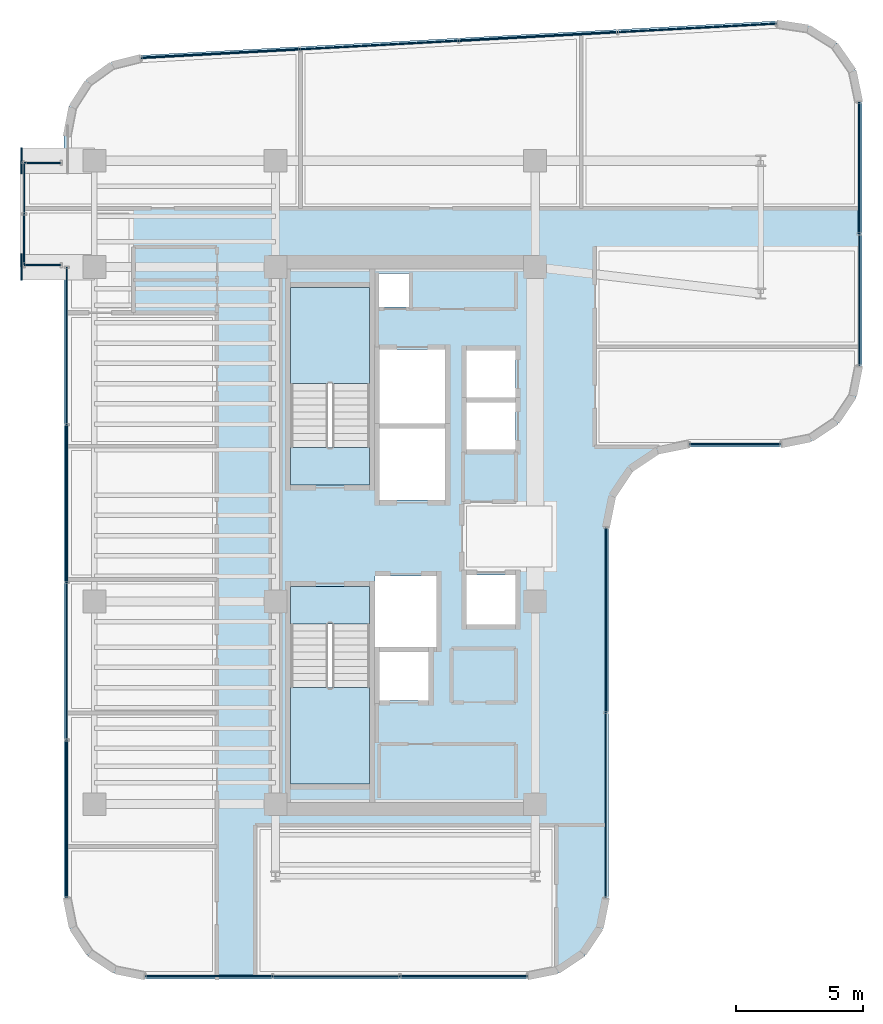
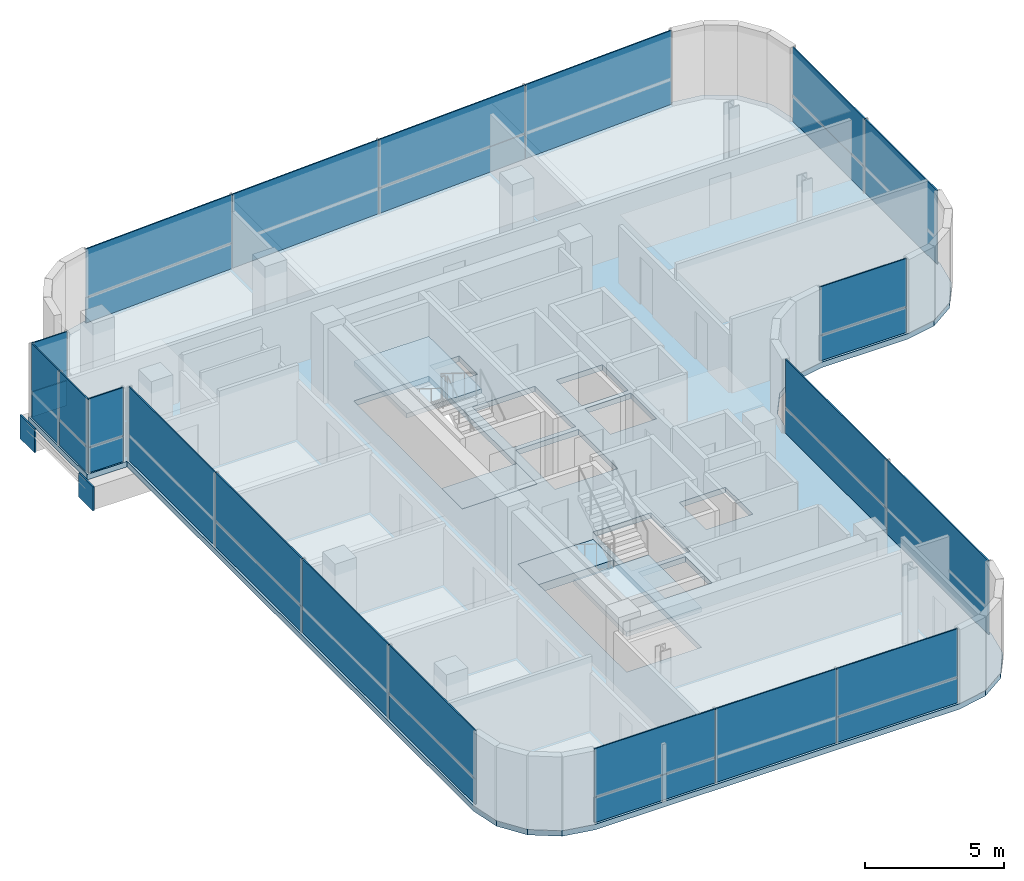
# One storey, part 16 of 21: 34 plates, 5 slabs, 11 elements without a shape of their own.
"""IFC4 building model written with IfcOpenShell, lengths in metres."""

from ifc_helpers import new_model, si_unit, direction, frame, origin, origin_2d, place, context, subcontext, project, spatial, polyline, rectangle, outline, extrude, source, transform, mapped, material, layer, layer_set, type_object, element, aggregate, save


model = new_model("IFC4")

# Units and contexts
model_context = context("Model", 3, precision=1e-05, world=origin(), true_north=direction((0.0, 1.0)))
body_context = subcontext(model_context, "Body", "Model", "MODEL_VIEW")
ifc_project = project(units=[si_unit("LENGTHUNIT", "METRE"), si_unit("AREAUNIT", "SQUARE_METRE"), si_unit("VOLUMEUNIT", "CUBIC_METRE"), si_unit("PLANEANGLEUNIT", "RADIAN"), si_unit("MASSUNIT", "GRAM", prefix="KILO")], contexts=[model_context])

# Site, building, storey
site_placement = place(None, origin())
site = spatial("IfcSite", under=ifc_project, at=site_placement, CompositionType="ELEMENT")
building_placement = place(site_placement, origin())
building = spatial("IfcBuilding", under=site, at=building_placement, Name="Valdorenza Pilgrim Sanctuary Tower", CompositionType="ELEMENT")
storey_placement = place(building_placement, frame((0.0, 0.0, 219.5)))
storey = spatial("IfcBuildingStorey", under=building, at=storey_placement, Name="L56", CompositionType="ELEMENT", Elevation=219.5)

# Slab
ifc_material_1 = material(Name="Concrete C40/50", Category="concrete")
ifc_layer_1 = layer(ifc_material_1, 0.239990234375, Name="Concrete C40/50")
ifc_layer_set_1 = layer_set([ifc_layer_1], Name="Concrete C40/50")
slab_type_1 = type_object("IfcSlabType", Name="SLAB-FLR-220", PredefinedType="FLOOR", material=ifc_layer_set_1)
slab_1_placement = place(storey_placement, frame((0.0, 0.0, -0.239990234375)))
element("IfcSlab", 1, at=slab_1_placement, inside=storey, type_object=slab_type_1, Name="L56 Structural Floor Slab 1", PredefinedType="FLOOR", context=body_context, shape_type="SweptSolid", body=[
    extrude(outline(polyline([(-30.772705078125, 16.95263671875), (-30.122802734375, 17.968994140625), (-29.14306640625, 18.672607421875), (-27.972412109375, 18.96337890625), (-2.872314453125, 20.318115234375), (-1.595947265625, 20.126220703125), (-0.4990234375, 19.445556640625), (0.239501953125, 18.386962890625), (0.5, 17.12255859375), (0.5, 6.699951171875), (0.25634765625, 5.475341796875), (-0.437255859375, 4.437255859375), (-1.475341796875, 3.74365234375), (-2.699951171875, 3.5), (-6.300048828125, 3.5), (-7.524658203125, 3.25634765625), (-8.562744140625, 2.562744140625), (-9.25634765625, 1.524658203125), (-9.5, 0.300048828125), (-9.5, -14.300048828125), (-9.74365234375, -15.524658203125), (-10.437255859375, -16.562744140625), (-11.475341796875, -17.25634765625), (-12.699951171875, -17.5), (-27.800048828125, -17.5), (-29.024658203125, -17.25634765625), (-30.062744140625, -16.562744140625), (-30.75634765625, -15.524658203125), (-31.0, -14.300048828125), (-31.0, 10.60009765625), (-32.64990234375, 10.60009765625), (-32.64990234375, 14.800048828125), (-31.0, 14.800048828125), (-31.0, 15.76806640625), (-30.772705078125, 16.95263671875)]), holes=[polyline([(-22.050048828125, -9.800048828125), (-18.93994140625, -9.800048828125), (-18.93994140625, -3.485107421875), (-18.93994140625, -2.0), (-22.050048828125, -2.0), (-22.050048828125, -3.485107421875), (-22.050048828125, -9.800048828125)]), polyline([(-16.60009765625, -6.5), (-16.60009765625, -4.60009765625), (-18.550048828125, -4.60009765625), (-18.550048828125, -6.5), (-16.60009765625, -6.5)]), polyline([(-22.050048828125, 2.0), (-18.93994140625, 2.0), (-18.93994140625, 3.485107421875), (-18.93994140625, 9.800048828125), (-22.050048828125, 9.800048828125), (-22.050048828125, 3.485107421875), (-22.050048828125, 2.0)]), polyline([(-17.360107421875, 9.030029296875), (-17.360107421875, 10.35009765625), (-18.570068359375, 10.35009765625), (-18.570068359375, 9.030029296875), (-17.360107421875, 9.030029296875)]), polyline([(-16.300048828125, -1.60009765625), (-18.719970703125, -1.60009765625), (-18.719970703125, -4.39990234375), (-16.300048828125, -4.39990234375), (-16.300048828125, -1.60009765625)]), polyline([(-13.179931640625, -3.5), (-13.179931640625, -1.550048828125), (-15.10009765625, -1.550048828125), (-15.10009765625, -3.5), (-13.179931640625, -3.5)]), polyline([(-15.949951171875, 1.39990234375), (-15.949951171875, 4.22509765625), (-18.550048828125, 4.22509765625), (-18.550048828125, 1.39990234375), (-15.949951171875, 1.39990234375)]), polyline([(-13.179931640625, 5.25), (-15.10009765625, 5.25), (-15.10009765625, 3.39990234375), (-13.179931640625, 3.39990234375), (-13.179931640625, 5.25)]), polyline([(-15.949951171875, 4.425048828125), (-15.949951171875, 7.35009765625), (-18.550048828125, 7.35009765625), (-18.550048828125, 4.425048828125), (-15.949951171875, 4.425048828125)]), polyline([(-13.179931640625, 5.449951171875), (-13.179931640625, 7.300048828125), (-15.10009765625, 7.300048828125), (-15.10009765625, 5.449951171875), (-13.179931640625, 5.449951171875)])]), origin(), (0.0, 0.0, 1.0), 0.239990234375),
])

# Stair, slab
stair_type = type_object("IfcStairType", Name="STR-DOG-CORE", PredefinedType="HALF_TURN_STAIR", material=ifc_material_1)
stair_1_placement = place(storey_placement, origin())
stair_1 = element("IfcStair", 2, at=stair_1_placement, inside=storey, type_object=stair_type, Name="L56 ST-A1", PredefinedType="HALF_TURN_STAIR")
ifc_layer_2 = layer(ifc_material_1, 0.199951171875, Name="Concrete C40/50")
ifc_layer_set_2 = layer_set([ifc_layer_2], Name="Concrete C40/50")
slab_type_2 = type_object("IfcSlabType", Name="SLAB-STL-200", PredefinedType="LANDING", material=ifc_layer_set_2)
slab_2_placement = place(storey_placement, frame((0.0, 0.0, 1.550048828125)))
slab_2 = element("IfcSlab", 3, at=slab_2_placement, type_object=slab_type_2, Name="ST-A1 landing 1", PredefinedType="LANDING", context=body_context, shape_type="SweptSolid", body=[
    extrude(outline(polyline([(-18.93994140625, 6.0), (-18.93994140625, 9.800048828125), (-22.050048828125, 9.800048828125), (-22.050048828125, 6.0), (-18.93994140625, 6.0)])), origin(), (0.0, 0.0, 1.0), 0.199951171875),
])
aggregate(stair_1, [slab_2])

stair_2_placement = place(storey_placement, origin())
stair_2 = element("IfcStair", 4, at=stair_2_placement, inside=storey, type_object=stair_type, Name="L56 ST-A2", PredefinedType="HALF_TURN_STAIR")
slab_3_placement = place(storey_placement, frame((0.0, 0.0, 1.550048828125)))
slab_3 = element("IfcSlab", 5, at=slab_3_placement, type_object=slab_type_2, Name="ST-A2 landing 1", PredefinedType="LANDING", context=body_context, shape_type="SweptSolid", body=[
    extrude(outline(polyline([(-22.050048828125, -6.0), (-22.050048828125, -9.800048828125), (-18.93994140625, -9.800048828125), (-18.93994140625, -6.0), (-22.050048828125, -6.0)])), origin(), (0.0, 0.0, 1.0), 0.199951171875),
])
aggregate(stair_2, [slab_3])

# Slabs
ifc_material_2 = material(Name="Concrete C50/60", Category="concrete")
ifc_layer_3 = layer(ifc_material_2, 0.39990234375, Name="Concrete C50/60")
ifc_layer_set_3 = layer_set([ifc_layer_3], Name="Concrete C50/60")
slab_type_3 = type_object("IfcSlabType", Name="SLAB-TRF-400", PredefinedType="FLOOR", material=ifc_layer_set_3)
slab_4_placement = place(storey_placement, frame((0.0, 0.0, -0.360107421875)))
element("IfcSlab", 6, at=slab_4_placement, inside=storey, type_object=slab_type_3, Name="L56 ST-A1 Structural Stair Landing Bearing Slab", PredefinedType="FLOOR", context=body_context, shape_type="SweptSolid", body=[
    extrude(outline(polyline([(-22.050048828125, 2.0), (-18.93994140625, 2.0), (-18.93994140625, 3.485107421875), (-22.050048828125, 3.485107421875), (-22.050048828125, 2.0)])), origin(), (0.0, 0.0, 1.0), 0.360107421875),
])
slab_5_placement = place(storey_placement, frame((0.0, 0.0, -0.360107421875)))
element("IfcSlab", 7, at=slab_5_placement, inside=storey, type_object=slab_type_3, Name="L56 ST-A2 Structural Stair Landing Bearing Slab", PredefinedType="FLOOR", context=body_context, shape_type="SweptSolid", body=[
    extrude(outline(polyline([(-22.050048828125, -3.485107421875), (-18.93994140625, -3.485107421875), (-18.93994140625, -2.0), (-22.050048828125, -2.0), (-22.050048828125, -3.485107421875)])), origin(), (0.0, 0.0, 1.0), 0.360107421875),
])

# Plates
ifc_material_3 = material(Name="Steel ASTM A572 Grade 42", Category="steel")
ifc_layer_4 = layer(ifc_material_3, 0.06005859375, Name="Steel ASTM A572 Grade 42")
ifc_layer_set_4 = layer_set([ifc_layer_4], Name="Steel ASTM A572 Grade 42")
plate_type_1 = type_object("IfcPlateType", Name="PLT-CAP-60", PredefinedType="SHEET", material=ifc_layer_set_4)
shared_shape_1 = source(origin(), body_context, "Body", "SweptSolid", [
    extrude(rectangle(XDim=0.06005859375, YDim=1.0400390625, at=origin_2d()), origin(), (0.0, 0.0, 1.0), 1.0400390625),
])
for number, where, z_axis, x_axis, name in (
    (8, (-32.679931640625, 14.800048828125, -1.260009765625), (0.0, 0.0, 1.0), (1.0, 0.0, 0.0), "L56 BOX-WA-L56 Cantilever Tip End Cap N"),
    (9, (-32.679931640625, 10.60009765625, -1.260009765625), (0.0, 0.0, 1.0), (1.0, 0.0, 0.0), "L56 BOX-WA-L56 Cantilever Tip End Cap S"),
):
    element("IfcPlate", number, at=place(storey_placement, frame(where, z_axis=z_axis, x_axis=x_axis)), inside=storey, type_object=plate_type_1, Name=name, PredefinedType="SHEET", context=body_context, shape_type="MappedRepresentation", body=[
        mapped(shared_shape_1, transform((0.0, 0.0, 0.0), x_axis=(1.0, 0.0, 0.0), y_axis=(0.0, 1.0, 0.0), z_axis=(0.0, 0.0, 1.0), scale=1.0)),
    ])

# Curtain wall, plate
ifc_material_4 = material(Name="Curtain-wall IGU glazing", Category="glass")
curtain_wall_type = type_object("IfcCurtainWallType", Name="CW-SYS-02", PredefinedType="NOTDEFINED", material=ifc_material_4)
curtain_wall_1_placement = place(storey_placement, origin())
curtain_wall_1 = element("IfcCurtainWall", 10, at=curtain_wall_1_placement, inside=storey, type_object=curtain_wall_type, Name="L56 Curtain Wall CW-L56-BOX-WA-L56-S", PredefinedType="NOTDEFINED")
ifc_material_5 = material(Name="Honed travertine limestone", Category="masonry")
ifc_layer_5 = layer(ifc_material_5, 0.050048828125, Name="Honed travertine limestone")
ifc_layer_set_5 = layer_set([ifc_layer_5], Name="Honed travertine limestone")
plate_type_2 = type_object("IfcPlateType", Name="CW-SPN-TRV", PredefinedType="USERDEFINED", material=ifc_layer_set_5)
shared_shape_2 = source(origin(), body_context, "Body", "SweptSolid", [
    extrude(rectangle(XDim=1.43994140625, YDim=0.06005859375, at=origin_2d()), origin(), (0.0, 0.0, 1.0), 1.10009765625),
])
plate_1_placement = place(storey_placement, frame((-31.840087890625, 10.679931640625, 0.010009765625), z_axis=(0.0, 0.0, 1.0), x_axis=(-1.0, 0.0, 0.0)))
plate_1 = element("IfcPlate", 11, at=plate_1_placement, type_object=plate_type_2, Name="CW-L56-BOX-WA-L56-S Travertine Spandrel 1", ObjectType="SPANDREL", PredefinedType="USERDEFINED", context=body_context, shape_type="MappedRepresentation", body=[
    mapped(shared_shape_2, transform((0.0, 0.0, 0.0), x_axis=(1.0, 0.0, 0.0), y_axis=(0.0, 1.0, 0.0), z_axis=(0.0, 0.0, 1.0), scale=1.0)),
])

curtain_wall_2_placement = place(storey_placement, origin())
curtain_wall_2 = element("IfcCurtainWall", 12, at=curtain_wall_2_placement, inside=storey, type_object=curtain_wall_type, Name="L56 Curtain Wall CW-L56-BOX-WA-L56-N", PredefinedType="NOTDEFINED")
plate_2_placement = place(storey_placement, frame((-31.840087890625, 14.719970703125, 0.010009765625), z_axis=(0.0, 0.0, 1.0), x_axis=(1.0, 0.0, 0.0)))
plate_2 = element("IfcPlate", 13, at=plate_2_placement, type_object=plate_type_2, Name="CW-L56-BOX-WA-L56-N Travertine Spandrel 1", ObjectType="SPANDREL", PredefinedType="USERDEFINED", context=body_context, shape_type="MappedRepresentation", body=[
    mapped(shared_shape_2, transform((0.0, 0.0, 0.0), x_axis=(1.0, 0.0, 0.0), y_axis=(0.0, 1.0, 0.0), z_axis=(0.0, 0.0, 1.0), scale=1.0)),
])

curtain_wall_3_placement = place(storey_placement, origin())
curtain_wall_3 = element("IfcCurtainWall", 14, at=curtain_wall_3_placement, inside=storey, type_object=curtain_wall_type, Name="L56 Curtain Wall CW-L56-BOX-WA-L56-F", PredefinedType="NOTDEFINED")
shared_shape_3 = source(origin(), body_context, "Body", "SweptSolid", [
    extrude(rectangle(XDim=2.0, YDim=0.06005859375, at=origin_2d()), origin(), (0.0, 0.0, 1.0), 1.10009765625),
])
plate_3_placement = place(storey_placement, frame((-32.570068359375, 11.68994140625, 0.010009765625), z_axis=(0.0, 0.0, 1.0), x_axis=(0.0, 1.0, 0.0)))
plate_3 = element("IfcPlate", 15, at=plate_3_placement, type_object=plate_type_2, Name="CW-L56-BOX-WA-L56-F Travertine Spandrel 1", ObjectType="SPANDREL", PredefinedType="USERDEFINED", context=body_context, shape_type="MappedRepresentation", body=[
    mapped(shared_shape_3, transform((0.0, 0.0, 0.0), x_axis=(1.0, 0.0, 0.0), y_axis=(0.0, 1.0, 0.0), z_axis=(0.0, 0.0, 1.0), scale=1.0)),
])

# Curtain wall, plates
curtain_wall_4_placement = place(storey_placement, origin())
curtain_wall_4 = element("IfcCurtainWall", 16, at=curtain_wall_4_placement, inside=storey, type_object=curtain_wall_type, Name="L56 Curtain Wall CW-L56-1-26", PredefinedType="NOTDEFINED")
shared_shape_4 = source(origin(), body_context, "Body", "SweptSolid", [
    extrude(rectangle(XDim=5.006103515625, YDim=0.06005859375, at=origin_2d()), origin(), (0.0, 0.0, 1.0), 1.10009765625),
])
plate_4_placement = place(storey_placement, frame((-15.223876953125, -17.389892578125, 0.010009765625), z_axis=(0.0, 0.0, 1.0), x_axis=(-1.0, 0.0, 0.0)))
plate_4 = element("IfcPlate", 17, at=plate_4_placement, type_object=plate_type_2, Name="CW-L56-1-26 Travertine Spandrel 1", ObjectType="SPANDREL", PredefinedType="USERDEFINED", context=body_context, shape_type="MappedRepresentation", body=[
    mapped(shared_shape_4, transform((0.0, 0.0, 0.0), x_axis=(1.0, 0.0, 0.0), y_axis=(0.0, 1.0, 0.0), z_axis=(0.0, 0.0, 1.0), scale=1.0)),
])
plate_5_placement = place(storey_placement, frame((-25.276123046875, -17.389892578125, 0.010009765625), z_axis=(0.0, 0.0, 1.0), x_axis=(-1.0, 0.0, 0.0)))
plate_5 = element("IfcPlate", 18, at=plate_5_placement, type_object=plate_type_2, Name="CW-L56-1-26 Travertine Spandrel 3", ObjectType="SPANDREL", PredefinedType="USERDEFINED", context=body_context, shape_type="MappedRepresentation", body=[
    mapped(shared_shape_4, transform((0.0, 0.0, 0.0), x_axis=(1.0, 0.0, 0.0), y_axis=(0.0, 1.0, 0.0), z_axis=(0.0, 0.0, 1.0), scale=1.0)),
])

curtain_wall_5_placement = place(storey_placement, origin())
curtain_wall_5 = element("IfcCurtainWall", 19, at=curtain_wall_5_placement, inside=storey, type_object=curtain_wall_type, Name="L56 Curtain Wall CW-L56-1-1S1", PredefinedType="NOTDEFINED")
shared_shape_5 = source(origin(), body_context, "Body", "SweptSolid", [
    extrude(rectangle(XDim=6.202392578125, YDim=0.06005859375, at=origin_2d()), origin(), (0.0, 0.0, 1.0), 1.10009765625),
])
plate_6_placement = place(storey_placement, frame((-30.889892578125, -11.177978515625, 0.010009765625), z_axis=(0.0, 0.0, 1.0), x_axis=(0.0, 1.0, 0.0)))
plate_6 = element("IfcPlate", 20, at=plate_6_placement, type_object=plate_type_2, Name="CW-L56-1-1S1 Travertine Spandrel 1", ObjectType="SPANDREL", PredefinedType="USERDEFINED", context=body_context, shape_type="MappedRepresentation", body=[
    mapped(shared_shape_5, transform((0.0, 0.0, 0.0), x_axis=(1.0, 0.0, 0.0), y_axis=(0.0, 1.0, 0.0), z_axis=(0.0, 0.0, 1.0), scale=1.0)),
])
plate_7_placement = place(storey_placement, frame((-30.889892578125, 1.2666015625, 0.010009765625), z_axis=(0.0, 0.0, 1.0), x_axis=(0.0, 1.0, 0.0)))
plate_7 = element("IfcPlate", 21, at=plate_7_placement, type_object=plate_type_2, Name="CW-L56-1-1S1 Travertine Spandrel 3", ObjectType="SPANDREL", PredefinedType="USERDEFINED", context=body_context, shape_type="MappedRepresentation", body=[
    mapped(shared_shape_5, transform((0.0, 0.0, 0.0), x_axis=(1.0, 0.0, 0.0), y_axis=(0.0, 1.0, 0.0), z_axis=(0.0, 0.0, 1.0), scale=1.0)),
])

curtain_wall_6_placement = place(storey_placement, origin())
curtain_wall_6 = element("IfcCurtainWall", 22, at=curtain_wall_6_placement, inside=storey, type_object=curtain_wall_type, Name="L56 Curtain Wall CW-L56-1-6", PredefinedType="NOTDEFINED")
shared_shape_6 = source(origin(), body_context, "Body", "SweptSolid", [
    extrude(rectangle(XDim=6.2587890625, YDim=0.06005859375, at=origin_2d()), origin(), (0.0, 0.0, 1.0), 1.10009765625),
])
plate_8_placement = place(storey_placement, frame((-24.8212890625, 19.023193359375, 0.010009765625), z_axis=(0.0, 0.0, 1.0), x_axis=(0.998547034311, 0.053887106711, 0.0)))
plate_8 = element("IfcPlate", 23, at=plate_8_placement, type_object=plate_type_2, Name="CW-L56-1-6 Travertine Spandrel 1", ObjectType="SPANDREL", PredefinedType="USERDEFINED", context=body_context, shape_type="MappedRepresentation", body=[
    mapped(shared_shape_6, transform((0.0, 0.0, 0.0), x_axis=(1.0, 0.0, 0.0), y_axis=(0.0, 1.0, 0.0), z_axis=(0.0, 0.0, 1.0), scale=1.0)),
])
plate_9_placement = place(storey_placement, frame((-12.281982421875, 19.699951171875, 0.010009765625), z_axis=(0.0, 0.0, 1.0), x_axis=(0.998547034311, 0.053887106711, 0.0)))
plate_9 = element("IfcPlate", 24, at=plate_9_placement, type_object=plate_type_2, Name="CW-L56-1-6 Travertine Spandrel 3", ObjectType="SPANDREL", PredefinedType="USERDEFINED", context=body_context, shape_type="MappedRepresentation", body=[
    mapped(shared_shape_6, transform((0.0, 0.0, 0.0), x_axis=(1.0, 0.0, 0.0), y_axis=(0.0, 1.0, 0.0), z_axis=(0.0, 0.0, 1.0), scale=1.0)),
])

# Curtain wall, plate
curtain_wall_7_placement = place(storey_placement, origin())
curtain_wall_7 = element("IfcCurtainWall", 25, at=curtain_wall_7_placement, inside=storey, type_object=curtain_wall_type, Name="L56 Curtain Wall CW-L56-1-16", PredefinedType="NOTDEFINED")
shared_shape_7 = source(origin(), body_context, "Body", "SweptSolid", [
    extrude(rectangle(XDim=3.580078125, YDim=0.06005859375, at=origin_2d()), origin(), (0.0, 0.0, 1.0), 1.10009765625),
])
plate_10_placement = place(storey_placement, frame((-4.5107421875, 3.610107421875, 0.010009765625), z_axis=(0.0, 0.0, 1.0), x_axis=(-1.0, 0.0, 0.0)))
plate_10 = element("IfcPlate", 26, at=plate_10_placement, type_object=plate_type_2, Name="CW-L56-1-16 Travertine Spandrel 1", ObjectType="SPANDREL", PredefinedType="USERDEFINED", context=body_context, shape_type="MappedRepresentation", body=[
    mapped(shared_shape_7, transform((0.0, 0.0, 0.0), x_axis=(1.0, 0.0, 0.0), y_axis=(0.0, 1.0, 0.0), z_axis=(0.0, 0.0, 1.0), scale=1.0)),
])

curtain_wall_8_placement = place(storey_placement, origin())
curtain_wall_8 = element("IfcCurtainWall", 27, at=curtain_wall_8_placement, inside=storey, type_object=curtain_wall_type, Name="L56 Curtain Wall CW-L56-1-21", PredefinedType="NOTDEFINED")
shared_shape_8 = source(origin(), body_context, "Body", "SweptSolid", [
    extrude(rectangle(XDim=7.280029296875, YDim=0.06005859375, at=origin_2d()), origin(), (0.0, 0.0, 1.0), 1.10009765625),
])
plate_11_placement = place(storey_placement, frame((-9.610107421875, -3.339111328125, 0.010009765625), z_axis=(0.0, 0.0, 1.0), x_axis=(0.0, -1.0, 0.0)))
plate_11 = element("IfcPlate", 28, at=plate_11_placement, type_object=plate_type_2, Name="CW-L56-1-21 Travertine Spandrel 1", ObjectType="SPANDREL", PredefinedType="USERDEFINED", context=body_context, shape_type="MappedRepresentation", body=[
    mapped(shared_shape_8, transform((0.0, 0.0, 0.0), x_axis=(1.0, 0.0, 0.0), y_axis=(0.0, 1.0, 0.0), z_axis=(0.0, 0.0, 1.0), scale=1.0)),
])

curtain_wall_9_placement = place(storey_placement, origin())
curtain_wall_9 = element("IfcCurtainWall", 29, at=curtain_wall_9_placement, inside=storey, type_object=curtain_wall_type, Name="L56 Curtain Wall CW-L56-1-11", PredefinedType="NOTDEFINED")
shared_shape_9 = source(origin(), body_context, "Body", "SweptSolid", [
    extrude(rectangle(XDim=5.180419921875, YDim=0.06005859375, at=origin_2d()), origin(), (0.0, 0.0, 1.0), 1.10009765625),
])
plate_12_placement = place(storey_placement, frame((0.389892578125, 14.51123046875, 0.010009765625), z_axis=(0.0, 0.0, 1.0), x_axis=(0.0, -1.0, 0.0)))
plate_12 = element("IfcPlate", 30, at=plate_12_placement, type_object=plate_type_2, Name="CW-L56-1-11 Travertine Spandrel 1", ObjectType="SPANDREL", PredefinedType="USERDEFINED", context=body_context, shape_type="MappedRepresentation", body=[
    mapped(shared_shape_9, transform((0.0, 0.0, 0.0), x_axis=(1.0, 0.0, 0.0), y_axis=(0.0, 1.0, 0.0), z_axis=(0.0, 0.0, 1.0), scale=1.0)),
])

# Plate
ifc_material_6 = material(Name="Ceramic-fritted low-E IGU glazing", Category="glass")
ifc_layer_6 = layer(ifc_material_6, 0.035888671875, Name="Ceramic-fritted low-E IGU glazing")
ifc_layer_set_6 = layer_set([ifc_layer_6], Name="Ceramic-fritted low-E IGU glazing")
plate_type_3 = type_object("IfcPlateType", Name="CW-GLZ-IGU", PredefinedType="USERDEFINED", material=ifc_layer_set_6)
shared_shape_10 = source(origin(), body_context, "Body", "SweptSolid", [
    extrude(rectangle(XDim=6.2587890625, YDim=0.050048828125, at=origin_2d()), origin(), (0.0, 0.0, 1.0), 2.1201171875),
])
plate_13_placement = place(storey_placement, frame((-24.8212890625, 19.023193359375, 1.1298828125), z_axis=(0.0, 0.0, 1.0), x_axis=(0.998547034311, 0.053887106711, 0.0)))
plate_13 = element("IfcPlate", 31, at=plate_13_placement, type_object=plate_type_3, Name="CW-L56-1-6 Facade Panel 1", ObjectType="GLAZING", PredefinedType="USERDEFINED", context=body_context, shape_type="MappedRepresentation", body=[
    mapped(shared_shape_10, transform((0.0, 0.0, 0.0), x_axis=(1.0, 0.0, 0.0), y_axis=(0.0, 1.0, 0.0), z_axis=(0.0, 0.0, 1.0), scale=1.0)),
])

plate_14_placement = place(storey_placement, frame((-12.281982421875, 19.699951171875, 1.1298828125), z_axis=(0.0, 0.0, 1.0), x_axis=(0.998547034311, 0.053887106711, 0.0)))
plate_14 = element("IfcPlate", 32, at=plate_14_placement, type_object=plate_type_3, Name="CW-L56-1-6 Facade Panel 3", ObjectType="GLAZING", PredefinedType="USERDEFINED", context=body_context, shape_type="MappedRepresentation", body=[
    mapped(shared_shape_10, transform((0.0, 0.0, 0.0), x_axis=(1.0, 0.0, 0.0), y_axis=(0.0, 1.0, 0.0), z_axis=(0.0, 0.0, 1.0), scale=1.0)),
])

shared_shape_11 = source(origin(), body_context, "Body", "SweptSolid", [
    extrude(rectangle(XDim=6.2587890625, YDim=0.050048828125, at=origin_2d()), origin(), (0.0, 0.0, 1.0), 3.239990234375),
])
plate_15_placement = place(storey_placement, frame((-18.551513671875, 19.36181640625, 0.009765625), z_axis=(0.0, 0.0, 1.0), x_axis=(0.998547034311, 0.053887106711, 0.0)))
plate_15 = element("IfcPlate", 33, at=plate_15_placement, type_object=plate_type_3, Name="CW-L56-1-6 Full-Height Facade Panel 2", ObjectType="GLAZING", PredefinedType="USERDEFINED", context=body_context, shape_type="MappedRepresentation", body=[
    mapped(shared_shape_11, transform((0.0, 0.0, 0.0), x_axis=(1.0, 0.0, 0.0), y_axis=(0.0, 1.0, 0.0), z_axis=(0.0, 0.0, 1.0), scale=1.0)),
])

plate_16_placement = place(storey_placement, frame((-6.012451171875, 20.038330078125, 0.009765625), z_axis=(0.0, 0.0, 1.0), x_axis=(0.998547034311, 0.053887106711, 0.0)))
plate_16 = element("IfcPlate", 34, at=plate_16_placement, type_object=plate_type_3, Name="CW-L56-1-6 Full-Height Facade Panel 4", ObjectType="GLAZING", PredefinedType="USERDEFINED", context=body_context, shape_type="MappedRepresentation", body=[
    mapped(shared_shape_11, transform((0.0, 0.0, 0.0), x_axis=(1.0, 0.0, 0.0), y_axis=(0.0, 1.0, 0.0), z_axis=(0.0, 0.0, 1.0), scale=1.0)),
])

aggregate(curtain_wall_6, [plate_8, plate_13, plate_15, plate_9, plate_14, plate_16])

shared_shape_12 = source(origin(), body_context, "Body", "SweptSolid", [
    extrude(rectangle(XDim=5.180419921875, YDim=0.050048828125, at=origin_2d()), origin(), (0.0, 0.0, 1.0), 2.1201171875),
])
plate_17_placement = place(storey_placement, frame((0.389892578125, 14.51123046875, 1.1298828125), z_axis=(0.0, 0.0, 1.0), x_axis=(0.0, -1.0, 0.0)))
plate_17 = element("IfcPlate", 35, at=plate_17_placement, type_object=plate_type_3, Name="CW-L56-1-11 Facade Panel 1", ObjectType="GLAZING", PredefinedType="USERDEFINED", context=body_context, shape_type="MappedRepresentation", body=[
    mapped(shared_shape_12, transform((0.0, 0.0, 0.0), x_axis=(1.0, 0.0, 0.0), y_axis=(0.0, 1.0, 0.0), z_axis=(0.0, 0.0, 1.0), scale=1.0)),
])

shared_shape_13 = source(origin(), body_context, "Body", "SweptSolid", [
    extrude(rectangle(XDim=5.180419921875, YDim=0.050048828125, at=origin_2d()), origin(), (0.0, 0.0, 1.0), 3.239990234375),
])
plate_18_placement = place(storey_placement, frame((0.389892578125, 9.310791015625, 0.009765625), z_axis=(0.0, 0.0, 1.0), x_axis=(0.0, -1.0, 0.0)))
plate_18 = element("IfcPlate", 36, at=plate_18_placement, type_object=plate_type_3, Name="CW-L56-1-11 Full-Height Facade Panel 2", ObjectType="GLAZING", PredefinedType="USERDEFINED", context=body_context, shape_type="MappedRepresentation", body=[
    mapped(shared_shape_13, transform((0.0, 0.0, 0.0), x_axis=(1.0, 0.0, 0.0), y_axis=(0.0, 1.0, 0.0), z_axis=(0.0, 0.0, 1.0), scale=1.0)),
])

aggregate(curtain_wall_9, [plate_12, plate_17, plate_18])

shared_shape_14 = source(origin(), body_context, "Body", "SweptSolid", [
    extrude(rectangle(XDim=3.580078125, YDim=0.050048828125, at=origin_2d()), origin(), (0.0, 0.0, 1.0), 2.1201171875),
])
plate_19_placement = place(storey_placement, frame((-4.5107421875, 3.610107421875, 1.1298828125), z_axis=(0.0, 0.0, 1.0), x_axis=(-1.0, 0.0, 0.0)))
plate_19 = element("IfcPlate", 37, at=plate_19_placement, type_object=plate_type_3, Name="CW-L56-1-16 Facade Panel 1", ObjectType="GLAZING", PredefinedType="USERDEFINED", context=body_context, shape_type="MappedRepresentation", body=[
    mapped(shared_shape_14, transform((0.0, 0.0, 0.0), x_axis=(1.0, 0.0, 0.0), y_axis=(0.0, 1.0, 0.0), z_axis=(0.0, 0.0, 1.0), scale=1.0)),
])

aggregate(curtain_wall_7, [plate_10, plate_19])

shared_shape_15 = source(origin(), body_context, "Body", "SweptSolid", [
    extrude(rectangle(XDim=7.280029296875, YDim=0.050048828125, at=origin_2d()), origin(), (0.0, 0.0, 1.0), 2.1201171875),
])
plate_20_placement = place(storey_placement, frame((-9.610107421875, -3.339111328125, 1.1298828125), z_axis=(0.0, 0.0, 1.0), x_axis=(0.0, -1.0, 0.0)))
plate_20 = element("IfcPlate", 38, at=plate_20_placement, type_object=plate_type_3, Name="CW-L56-1-21 Facade Panel 1", ObjectType="GLAZING", PredefinedType="USERDEFINED", context=body_context, shape_type="MappedRepresentation", body=[
    mapped(shared_shape_15, transform((0.0, 0.0, 0.0), x_axis=(1.0, 0.0, 0.0), y_axis=(0.0, 1.0, 0.0), z_axis=(0.0, 0.0, 1.0), scale=1.0)),
])

shared_shape_16 = source(origin(), body_context, "Body", "SweptSolid", [
    extrude(rectangle(XDim=7.280029296875, YDim=0.050048828125, at=origin_2d()), origin(), (0.0, 0.0, 1.0), 3.239990234375),
])
plate_21_placement = place(storey_placement, frame((-9.610107421875, -10.63916015625, 0.009765625), z_axis=(0.0, 0.0, 1.0), x_axis=(0.0, -1.0, 0.0)))
plate_21 = element("IfcPlate", 39, at=plate_21_placement, type_object=plate_type_3, Name="CW-L56-1-21 Full-Height Facade Panel 2", ObjectType="GLAZING", PredefinedType="USERDEFINED", context=body_context, shape_type="MappedRepresentation", body=[
    mapped(shared_shape_16, transform((0.0, 0.0, 0.0), x_axis=(1.0, 0.0, 0.0), y_axis=(0.0, 1.0, 0.0), z_axis=(0.0, 0.0, 1.0), scale=1.0)),
])

aggregate(curtain_wall_8, [plate_11, plate_20, plate_21])

shared_shape_17 = source(origin(), body_context, "Body", "SweptSolid", [
    extrude(rectangle(XDim=5.006103515625, YDim=0.050048828125, at=origin_2d()), origin(), (0.0, 0.0, 1.0), 2.1201171875),
])
plate_22_placement = place(storey_placement, frame((-15.223876953125, -17.389892578125, 1.1298828125), z_axis=(0.0, 0.0, 1.0), x_axis=(-1.0, 0.0, 0.0)))
plate_22 = element("IfcPlate", 40, at=plate_22_placement, type_object=plate_type_3, Name="CW-L56-1-26 Facade Panel 1", ObjectType="GLAZING", PredefinedType="USERDEFINED", context=body_context, shape_type="MappedRepresentation", body=[
    mapped(shared_shape_17, transform((0.0, 0.0, 0.0), x_axis=(1.0, 0.0, 0.0), y_axis=(0.0, 1.0, 0.0), z_axis=(0.0, 0.0, 1.0), scale=1.0)),
])

plate_23_placement = place(storey_placement, frame((-25.276123046875, -17.389892578125, 1.1298828125), z_axis=(0.0, 0.0, 1.0), x_axis=(-1.0, 0.0, 0.0)))
plate_23 = element("IfcPlate", 41, at=plate_23_placement, type_object=plate_type_3, Name="CW-L56-1-26 Facade Panel 3", ObjectType="GLAZING", PredefinedType="USERDEFINED", context=body_context, shape_type="MappedRepresentation", body=[
    mapped(shared_shape_17, transform((0.0, 0.0, 0.0), x_axis=(1.0, 0.0, 0.0), y_axis=(0.0, 1.0, 0.0), z_axis=(0.0, 0.0, 1.0), scale=1.0)),
])

shared_shape_18 = source(origin(), body_context, "Body", "SweptSolid", [
    extrude(rectangle(XDim=5.006103515625, YDim=0.050048828125, at=origin_2d()), origin(), (0.0, 0.0, 1.0), 3.239990234375),
])
plate_24_placement = place(storey_placement, frame((-20.25, -17.389892578125, 0.009765625), z_axis=(0.0, 0.0, 1.0), x_axis=(-1.0, 0.0, 0.0)))
plate_24 = element("IfcPlate", 42, at=plate_24_placement, type_object=plate_type_3, Name="CW-L56-1-26 Full-Height Facade Panel 2", ObjectType="GLAZING", PredefinedType="USERDEFINED", context=body_context, shape_type="MappedRepresentation", body=[
    mapped(shared_shape_18, transform((0.0, 0.0, 0.0), x_axis=(1.0, 0.0, 0.0), y_axis=(0.0, 1.0, 0.0), z_axis=(0.0, 0.0, 1.0), scale=1.0)),
])

aggregate(curtain_wall_4, [plate_4, plate_22, plate_24, plate_5, plate_23])

shared_shape_19 = source(origin(), body_context, "Body", "SweptSolid", [
    extrude(rectangle(XDim=1.43994140625, YDim=0.050048828125, at=origin_2d()), origin(), (0.0, 0.0, 1.0), 2.1201171875),
])
plate_25_placement = place(storey_placement, frame((-31.840087890625, 10.679931640625, 1.1298828125), z_axis=(0.0, 0.0, 1.0), x_axis=(-1.0, 0.0, 0.0)))
plate_25 = element("IfcPlate", 43, at=plate_25_placement, type_object=plate_type_3, Name="CW-L56-BOX-WA-L56-S Facade Panel 1", ObjectType="GLAZING", PredefinedType="USERDEFINED", context=body_context, shape_type="MappedRepresentation", body=[
    mapped(shared_shape_19, transform((0.0, 0.0, 0.0), x_axis=(1.0, 0.0, 0.0), y_axis=(0.0, 1.0, 0.0), z_axis=(0.0, 0.0, 1.0), scale=1.0)),
])

aggregate(curtain_wall_1, [plate_1, plate_25])

plate_26_placement = place(storey_placement, frame((-31.840087890625, 14.719970703125, 1.1298828125), z_axis=(0.0, 0.0, 1.0), x_axis=(1.0, 0.0, 0.0)))
plate_26 = element("IfcPlate", 44, at=plate_26_placement, type_object=plate_type_3, Name="CW-L56-BOX-WA-L56-N Facade Panel 1", ObjectType="GLAZING", PredefinedType="USERDEFINED", context=body_context, shape_type="MappedRepresentation", body=[
    mapped(shared_shape_19, transform((0.0, 0.0, 0.0), x_axis=(1.0, 0.0, 0.0), y_axis=(0.0, 1.0, 0.0), z_axis=(0.0, 0.0, 1.0), scale=1.0)),
])

aggregate(curtain_wall_2, [plate_2, plate_26])

shared_shape_20 = source(origin(), body_context, "Body", "SweptSolid", [
    extrude(rectangle(XDim=6.202392578125, YDim=0.050048828125, at=origin_2d()), origin(), (0.0, 0.0, 1.0), 2.1201171875),
])
plate_27_placement = place(storey_placement, frame((-30.889892578125, -11.177978515625, 1.1298828125), z_axis=(0.0, 0.0, 1.0), x_axis=(0.0, 1.0, 0.0)))
plate_27 = element("IfcPlate", 45, at=plate_27_placement, type_object=plate_type_3, Name="CW-L56-1-1S1 Facade Panel 1", ObjectType="GLAZING", PredefinedType="USERDEFINED", context=body_context, shape_type="MappedRepresentation", body=[
    mapped(shared_shape_20, transform((0.0, 0.0, 0.0), x_axis=(1.0, 0.0, 0.0), y_axis=(0.0, 1.0, 0.0), z_axis=(0.0, 0.0, 1.0), scale=1.0)),
])

plate_28_placement = place(storey_placement, frame((-30.889892578125, 1.2666015625, 1.1298828125), z_axis=(0.0, 0.0, 1.0), x_axis=(0.0, 1.0, 0.0)))
plate_28 = element("IfcPlate", 46, at=plate_28_placement, type_object=plate_type_3, Name="CW-L56-1-1S1 Facade Panel 3", ObjectType="GLAZING", PredefinedType="USERDEFINED", context=body_context, shape_type="MappedRepresentation", body=[
    mapped(shared_shape_20, transform((0.0, 0.0, 0.0), x_axis=(1.0, 0.0, 0.0), y_axis=(0.0, 1.0, 0.0), z_axis=(0.0, 0.0, 1.0), scale=1.0)),
])

shared_shape_21 = source(origin(), body_context, "Body", "SweptSolid", [
    extrude(rectangle(XDim=6.202392578125, YDim=0.050048828125, at=origin_2d()), origin(), (0.0, 0.0, 1.0), 3.239990234375),
])
plate_29_placement = place(storey_placement, frame((-30.889892578125, -4.955810546875, 0.009765625), z_axis=(0.0, 0.0, 1.0), x_axis=(0.0, 1.0, 0.0)))
plate_29 = element("IfcPlate", 47, at=plate_29_placement, type_object=plate_type_3, Name="CW-L56-1-1S1 Full-Height Facade Panel 2", ObjectType="GLAZING", PredefinedType="USERDEFINED", context=body_context, shape_type="MappedRepresentation", body=[
    mapped(shared_shape_21, transform((0.0, 0.0, 0.0), x_axis=(1.0, 0.0, 0.0), y_axis=(0.0, 1.0, 0.0), z_axis=(0.0, 0.0, 1.0), scale=1.0)),
])

plate_30_placement = place(storey_placement, frame((-30.889892578125, 7.489013671875, 0.009765625), z_axis=(0.0, 0.0, 1.0), x_axis=(0.0, 1.0, 0.0)))
plate_30 = element("IfcPlate", 48, at=plate_30_placement, type_object=plate_type_3, Name="CW-L56-1-1S1 Full-Height Facade Panel 4", ObjectType="GLAZING", PredefinedType="USERDEFINED", context=body_context, shape_type="MappedRepresentation", body=[
    mapped(shared_shape_21, transform((0.0, 0.0, 0.0), x_axis=(1.0, 0.0, 0.0), y_axis=(0.0, 1.0, 0.0), z_axis=(0.0, 0.0, 1.0), scale=1.0)),
])

aggregate(curtain_wall_5, [plate_6, plate_27, plate_29, plate_7, plate_28, plate_30])

shared_shape_22 = source(origin(), body_context, "Body", "SweptSolid", [
    extrude(rectangle(XDim=2.0, YDim=0.050048828125, at=origin_2d()), origin(), (0.0, 0.0, 1.0), 2.1201171875),
])
plate_31_placement = place(storey_placement, frame((-32.570068359375, 11.68994140625, 1.1298828125), z_axis=(0.0, 0.0, 1.0), x_axis=(0.0, 1.0, 0.0)))
plate_31 = element("IfcPlate", 49, at=plate_31_placement, type_object=plate_type_3, Name="CW-L56-BOX-WA-L56-F Facade Panel 1", ObjectType="GLAZING", PredefinedType="USERDEFINED", context=body_context, shape_type="MappedRepresentation", body=[
    mapped(shared_shape_22, transform((0.0, 0.0, 0.0), x_axis=(1.0, 0.0, 0.0), y_axis=(0.0, 1.0, 0.0), z_axis=(0.0, 0.0, 1.0), scale=1.0)),
])

shared_shape_23 = source(origin(), body_context, "Body", "SweptSolid", [
    extrude(rectangle(XDim=2.0, YDim=0.050048828125, at=origin_2d()), origin(), (0.0, 0.0, 1.0), 3.239990234375),
])
plate_32_placement = place(storey_placement, frame((-32.570068359375, 13.7099609375, 0.009765625), z_axis=(0.0, 0.0, 1.0), x_axis=(0.0, 1.0, 0.0)))
plate_32 = element("IfcPlate", 50, at=plate_32_placement, type_object=plate_type_3, Name="CW-L56-BOX-WA-L56-F Full-Height Facade Panel 2", ObjectType="GLAZING", PredefinedType="USERDEFINED", context=body_context, shape_type="MappedRepresentation", body=[
    mapped(shared_shape_23, transform((0.0, 0.0, 0.0), x_axis=(1.0, 0.0, 0.0), y_axis=(0.0, 1.0, 0.0), z_axis=(0.0, 0.0, 1.0), scale=1.0)),
])

aggregate(curtain_wall_3, [plate_3, plate_31, plate_32])

save(model, "model.ifc")
